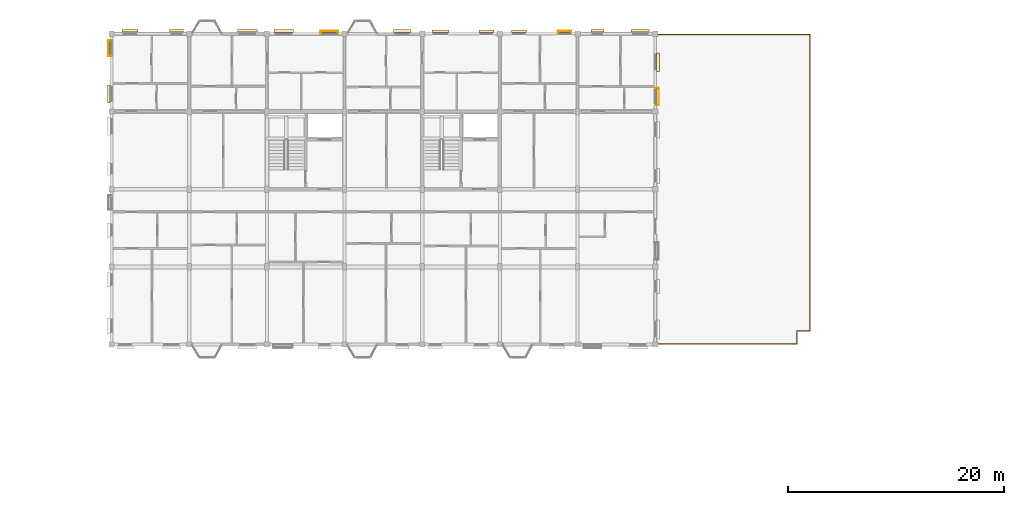
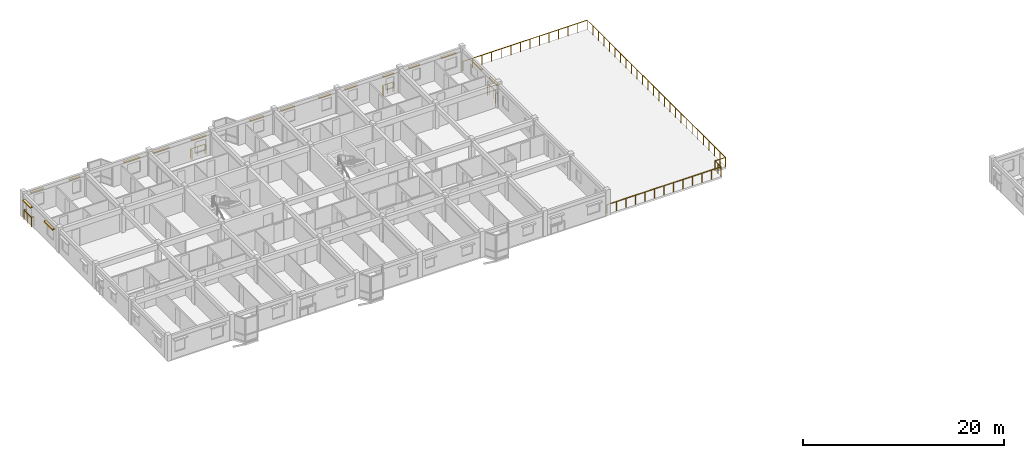
# One storey, part 64 of 64: 16 coverings, 5 railings.
"""IFC4 building model written with IfcOpenShell, lengths in metres."""

from ifc_helpers import new_model, si_unit, direction, frame, origin, origin_2d, place, context, subcontext, project, spatial, rectangle, circle, extrude, material, layer, layer_set, type_object, element, save


model = new_model("IFC4")

# Units and contexts
model_context = context("Model", 3, precision=1e-05, world=origin(), true_north=direction((0.0, 1.0)))
body_context = subcontext(model_context, "Body", "Model", "MODEL_VIEW")
ifc_project = project(units=[si_unit("LENGTHUNIT", "METRE"), si_unit("AREAUNIT", "SQUARE_METRE"), si_unit("VOLUMEUNIT", "CUBIC_METRE"), si_unit("PLANEANGLEUNIT", "RADIAN"), si_unit("MASSUNIT", "GRAM", prefix="KILO"), si_unit("THERMODYNAMICTEMPERATUREUNIT", "KELVIN"), si_unit("POWERUNIT", "WATT")], contexts=[model_context])

# Site, building, storey
site_placement = place(None, origin())
site = spatial("IfcSite", under=ifc_project, at=site_placement, CompositionType="ELEMENT")
building_placement = place(site_placement, origin())
building = spatial("IfcBuilding", under=site, at=building_placement, Name="Tavuni Mirador Residences", CompositionType="ELEMENT")
storey_placement = place(building_placement, frame((0.0, 0.0, 26.550048828125)))
storey = spatial("IfcBuildingStorey", under=building, at=storey_placement, Name="L08", CompositionType="ELEMENT", Elevation=26.550048828125)

# Coverings
ifc_material_1 = material(Name="Natural coral limestone", Category="masonry")
ifc_layer = layer(ifc_material_1, 0.054931640625, Name="Natural coral limestone", Category="masonry")
ifc_layer_set = layer_set([ifc_layer], Name="Natural coral limestone")
covering_type = type_object("IfcCoveringType", Name="CVT-CLAD-CORAL", PredefinedType="CLADDING", material=ifc_layer_set)
covering_1_placement = place(storey_placement, frame((61.45947265625, 166.965087890625, 2.06494140625), z_axis=(0.0, 0.0, 1.0), x_axis=(0.0, 1.0, 0.0)))
element("IfcCovering", 1, at=covering_1_placement, inside=storey, type_object=covering_type, Name="HOOD-0729", PredefinedType="CLADDING", context=body_context, shape_type="SweptSolid", body=[
    extrude(rectangle(XDim=1.5400390625, YDim=0.25, at=origin_2d()), origin(), (0.0, 0.0, 1.0), 0.14990234375),
])
for number, where, z_axis, x_axis, name in (
    (2, (61.45947265625, 170.175048828125, 2.06494140625), (0.0, 0.0, 1.0), (0.0, 1.0, 0.0), "HOOD-0730"),
    (3, (59.820068359375, 173.0869140625, 2.06494140625), (0.0, 0.0, 1.0), (-1.0, 0.0, 0.0), "HOOD-0731"),
):
    element("IfcCovering", number, at=place(storey_placement, frame(where, z_axis=z_axis, x_axis=x_axis)), inside=storey, type_object=covering_type, Name=name, PredefinedType="CLADDING", context=body_context, shape_type="SweptSolid", body=[
        extrude(rectangle(XDim=1.699951171875, YDim=0.25, at=origin_2d()), origin(), (0.0, 0.0, 1.0), 0.14990234375),
    ])
for number, where, z_axis, x_axis, name in (
    (4, (55.85009765625, 173.0869140625, 2.1650390625), (0.0, 0.0, 1.0), (-1.0, 0.0, 0.0), "HOOD-0732"),
    (5, (52.85009765625, 173.04443359375, 2.1650390625), (0.0, 0.0, 1.0), (-1.0, 0.0, 0.0), "HOOD-0733"),
):
    element("IfcCovering", number, at=place(storey_placement, frame(where, z_axis=z_axis, x_axis=x_axis)), inside=storey, type_object=covering_type, Name=name, PredefinedType="CLADDING", context=body_context, shape_type="SweptSolid", body=[
        extrude(rectangle(XDim=1.239990234375, YDim=0.25, at=origin_2d()), origin(), (0.0, 0.0, 1.0), 0.14990234375),
    ])
for number, where, z_axis, x_axis, name in (
    (6, (48.570068359375, 173.04443359375, 2.1650390625), (0.0, 0.0, 1.0), (-1.0, 0.0, 0.0), "HOOD-0734"),
    (7, (45.570068359375, 173.049560546875, 2.1650390625), (0.0, 0.0, 1.0), (-1.0, 0.0, 0.0), "HOOD-0735"),
):
    element("IfcCovering", number, at=place(storey_placement, frame(where, z_axis=z_axis, x_axis=x_axis)), inside=storey, type_object=covering_type, Name=name, PredefinedType="CLADDING", context=body_context, shape_type="SweptSolid", body=[
        extrude(rectangle(XDim=1.39990234375, YDim=0.25, at=origin_2d()), origin(), (0.0, 0.0, 1.0), 0.14990234375),
    ])
covering_2_placement = place(storey_placement, frame((41.2900390625, 173.049560546875, 2.1650390625), z_axis=(0.0, 0.0, 1.0), x_axis=(-1.0, 0.0, 0.0)))
element("IfcCovering", 8, at=covering_2_placement, inside=storey, type_object=covering_type, Name="HOOD-0736", PredefinedType="CLADDING", context=body_context, shape_type="SweptSolid", body=[
    extrude(rectangle(XDim=1.56005859375, YDim=0.25, at=origin_2d()), origin(), (0.0, 0.0, 1.0), 0.14990234375),
])
covering_3_placement = place(storey_placement, frame((37.75, 173.064453125, 2.16015625), z_axis=(0.0, 0.0, 1.0), x_axis=(-1.0, 0.0, 0.0)))
element("IfcCovering", 9, at=covering_3_placement, inside=storey, type_object=covering_type, Name="HOOD-0737", PredefinedType="CLADDING", context=body_context, shape_type="SweptSolid", body=[
    extrude(rectangle(XDim=1.580078125, YDim=0.260009765625, at=origin_2d()), origin(), (0.0, 0.0, 1.0), 0.159912109375),
])
covering_4_placement = place(storey_placement, frame((31.050048828125, 173.06689453125, 2.1650390625), z_axis=(0.0, 0.0, 1.0), x_axis=(-1.0, 0.0, 0.0)))
element("IfcCovering", 10, at=covering_4_placement, inside=storey, type_object=covering_type, Name="HOOD-0738", PredefinedType="CLADDING", context=body_context, shape_type="SweptSolid", body=[
    extrude(rectangle(XDim=1.639892578125, YDim=0.25, at=origin_2d()), origin(), (0.0, 0.0, 1.0), 0.14990234375),
])
covering_5_placement = place(storey_placement, frame((26.77001953125, 173.06689453125, 2.1650390625), z_axis=(0.0, 0.0, 1.0), x_axis=(-1.0, 0.0, 0.0)))
element("IfcCovering", 11, at=covering_5_placement, inside=storey, type_object=covering_type, Name="HOOD-0739", PredefinedType="CLADDING", context=body_context, shape_type="SweptSolid", body=[
    extrude(rectangle(XDim=1.800048828125, YDim=0.25, at=origin_2d()), origin(), (0.0, 0.0, 1.0), 0.14990234375),
])
covering_6_placement = place(storey_placement, frame((23.409912109375, 173.07958984375, 2.16015625), z_axis=(0.0, 0.0, 1.0), x_axis=(-1.0, 0.0, 0.0)))
element("IfcCovering", 12, at=covering_6_placement, inside=storey, type_object=covering_type, Name="HOOD-0740", PredefinedType="CLADDING", context=body_context, shape_type="SweptSolid", body=[
    extrude(rectangle(XDim=1.820068359375, YDim=0.260009765625, at=origin_2d()), origin(), (0.0, 0.0, 1.0), 0.159912109375),
])
covering_7_placement = place(storey_placement, frame((16.830078125, 173.07958984375, 2.2451171875), z_axis=(0.0, 0.0, 1.0), x_axis=(-1.0, 0.0, 0.0)))
element("IfcCovering", 13, at=covering_7_placement, inside=storey, type_object=covering_type, Name="HOOD-0741", PredefinedType="CLADDING", context=body_context, shape_type="SweptSolid", body=[
    extrude(rectangle(XDim=1.280029296875, YDim=0.25, at=origin_2d()), origin(), (0.0, 0.0, 1.0), 0.14990234375),
])
for number, where, z_axis, x_axis, name in (
    (14, (12.52490234375, 173.07958984375, 2.2451171875), (0.0, 0.0, 1.0), (-1.0, 0.0, 0.0), "HOOD-0742"),
    (15, (10.54052734375, 171.52490234375, 2.2451171875), (0.0, 0.0, 1.0), (0.0, -1.0, 0.0), "HOOD-0743"),
):
    element("IfcCovering", number, at=place(storey_placement, frame(where, z_axis=z_axis, x_axis=x_axis)), inside=storey, type_object=covering_type, Name=name, PredefinedType="CLADDING", context=body_context, shape_type="SweptSolid", body=[
        extrude(rectangle(XDim=1.489990234375, YDim=0.25, at=origin_2d()), origin(), (0.0, 0.0, 1.0), 0.14990234375),
    ])
covering_8_placement = place(storey_placement, frame((10.54052734375, 167.22509765625, 2.2451171875), z_axis=(0.0, 0.0, 1.0), x_axis=(0.0, -1.0, 0.0)))
element("IfcCovering", 16, at=covering_8_placement, inside=storey, type_object=covering_type, Name="HOOD-0744", PredefinedType="CLADDING", context=body_context, shape_type="SweptSolid", body=[
    extrude(rectangle(XDim=1.68994140625, YDim=0.25, at=origin_2d()), origin(), (0.0, 0.0, 1.0), 0.14990234375),
])

# Railings
ifc_material_2 = material(Name="Structural steel S355", Category="steel")
railing_type = type_object("IfcRailingType", Name="RT-BL1150", PredefinedType="BALUSTRADE", material=ifc_material_2)
railing_1_placement = place(storey_placement, frame((61.260009765625, 144.06005859375, 0.0)))
element("IfcRailing", 17, at=railing_1_placement, inside=storey, type_object=railing_type, Name="Terrace guard TER-C-L08", PredefinedType="BALUSTRADE", context=body_context, shape_type="SweptSolid", body=[
    extrude(circle(Radius=0.02392578125, at=origin_2d()), frame((0.0, 0.0, 1.1259765625), z_axis=(1.0, 0.0, 0.0), x_axis=(0.0, 1.0, 0.0)), (0.0, 0.0, 1.0), 13.080078125),
    extrude(circle(Radius=0.02392578125, at=origin_2d()), frame((13.080078125, 0.0, 1.1259765625), z_axis=(0.0, 1.0, 0.0), x_axis=(-1.0, 0.0, 0.0)), (0.0, 0.0, 1.0), 1.199951171875),
    extrude(circle(Radius=0.02392578125, at=origin_2d()), frame((13.080078125, 1.199951171875, 1.1259765625), z_axis=(1.0, 0.0, 0.0), x_axis=(0.0, 1.0, 0.0)), (0.0, 0.0, 1.0), 1.199951171875),
    extrude(circle(Radius=0.02392578125, at=origin_2d()), frame((14.280029296875, 1.199951171875, 1.1259765625), z_axis=(0.0, 1.0, 0.0), x_axis=(-1.0, 0.0, 0.0)), (0.0, 0.0, 1.0), 27.47998046875),
    extrude(circle(Radius=0.02392578125, at=origin_2d()), frame((14.280029296875, 28.679931640625, 1.1259765625), z_axis=(-1.0, 0.0, 0.0), x_axis=(0.0, -1.0, 0.0)), (0.0, 0.0, 1.0), 14.280029296875),
    extrude(circle(Radius=0.02099609375, at=origin_2d()), origin(), (0.0, 0.0, 1.0), 1.101806640625),
    extrude(circle(Radius=0.02099609375, at=origin_2d()), frame((1.090087890625, 0.0, 0.0)), (0.0, 0.0, 1.0), 1.101806640625),
    extrude(circle(Radius=0.02099609375, at=origin_2d()), frame((2.179931640625, 0.0, 0.0)), (0.0, 0.0, 1.0), 1.101806640625),
    extrude(circle(Radius=0.02099609375, at=origin_2d()), frame((3.27001953125, 0.0, 0.0)), (0.0, 0.0, 1.0), 1.101806640625),
    extrude(circle(Radius=0.02099609375, at=origin_2d()), frame((4.360107421875, 0.0, 0.0)), (0.0, 0.0, 1.0), 1.101806640625),
    extrude(circle(Radius=0.02099609375, at=origin_2d()), frame((5.449951171875, 0.0, 0.0)), (0.0, 0.0, 1.0), 1.101806640625),
    extrude(circle(Radius=0.02099609375, at=origin_2d()), frame((6.5400390625, 0.0, 0.0)), (0.0, 0.0, 1.0), 1.101806640625),
    extrude(circle(Radius=0.02099609375, at=origin_2d()), frame((7.630126953125, 0.0, 0.0)), (0.0, 0.0, 1.0), 1.101806640625),
    extrude(circle(Radius=0.02099609375, at=origin_2d()), frame((8.719970703125, 0.0, 0.0)), (0.0, 0.0, 1.0), 1.101806640625),
    extrude(circle(Radius=0.02099609375, at=origin_2d()), frame((9.81005859375, 0.0, 0.0)), (0.0, 0.0, 1.0), 1.101806640625),
    extrude(circle(Radius=0.02099609375, at=origin_2d()), frame((10.900146484375, 0.0, 0.0)), (0.0, 0.0, 1.0), 1.101806640625),
    extrude(circle(Radius=0.02099609375, at=origin_2d()), frame((11.989990234375, 0.0, 0.0)), (0.0, 0.0, 1.0), 1.101806640625),
    extrude(circle(Radius=0.02099609375, at=origin_2d()), frame((13.080078125, 0.0, 0.0)), (0.0, 0.0, 1.0), 1.101806640625),
    extrude(circle(Radius=0.02099609375, at=origin_2d()), frame((13.080078125, 0.60009765625, 0.0)), (0.0, 0.0, 1.0), 1.101806640625),
    extrude(circle(Radius=0.02099609375, at=origin_2d()), frame((13.080078125, 1.199951171875, 0.0)), (0.0, 0.0, 1.0), 1.101806640625),
    extrude(circle(Radius=0.02099609375, at=origin_2d()), frame((13.68017578125, 1.199951171875, 0.0)), (0.0, 0.0, 1.0), 1.101806640625),
    extrude(circle(Radius=0.02099609375, at=origin_2d()), frame((14.280029296875, 1.199951171875, 0.0)), (0.0, 0.0, 1.0), 1.101806640625),
    extrude(circle(Radius=0.02099609375, at=origin_2d()), frame((14.280029296875, 2.299072265625, 0.0)), (0.0, 0.0, 1.0), 1.101806640625),
    extrude(circle(Radius=0.02099609375, at=origin_2d()), frame((14.280029296875, 3.3984375, 0.0)), (0.0, 0.0, 1.0), 1.101806640625),
    extrude(circle(Radius=0.02099609375, at=origin_2d()), frame((14.280029296875, 4.49755859375, 0.0)), (0.0, 0.0, 1.0), 1.101806640625),
    extrude(circle(Radius=0.02099609375, at=origin_2d()), frame((14.280029296875, 5.5966796875, 0.0)), (0.0, 0.0, 1.0), 1.101806640625),
    extrude(circle(Radius=0.02099609375, at=origin_2d()), frame((14.280029296875, 6.696044921875, 0.0)), (0.0, 0.0, 1.0), 1.101806640625),
    extrude(circle(Radius=0.02099609375, at=origin_2d()), frame((14.280029296875, 7.795166015625, 0.0)), (0.0, 0.0, 1.0), 1.101806640625),
    extrude(circle(Radius=0.02099609375, at=origin_2d()), frame((14.280029296875, 8.894287109375, 0.0)), (0.0, 0.0, 1.0), 1.101806640625),
    extrude(circle(Radius=0.02099609375, at=origin_2d()), frame((14.280029296875, 9.99365234375, 0.0)), (0.0, 0.0, 1.0), 1.101806640625),
    extrude(circle(Radius=0.02099609375, at=origin_2d()), frame((14.280029296875, 11.0927734375, 0.0)), (0.0, 0.0, 1.0), 1.101806640625),
    extrude(circle(Radius=0.02099609375, at=origin_2d()), frame((14.280029296875, 12.19189453125, 0.0)), (0.0, 0.0, 1.0), 1.101806640625),
    extrude(circle(Radius=0.02099609375, at=origin_2d()), frame((14.280029296875, 13.291259765625, 0.0)), (0.0, 0.0, 1.0), 1.101806640625),
    extrude(circle(Radius=0.02099609375, at=origin_2d()), frame((14.280029296875, 14.390380859375, 0.0)), (0.0, 0.0, 1.0), 1.101806640625),
    extrude(circle(Radius=0.02099609375, at=origin_2d()), frame((14.280029296875, 15.489501953125, 0.0)), (0.0, 0.0, 1.0), 1.101806640625),
    extrude(circle(Radius=0.02099609375, at=origin_2d()), frame((14.280029296875, 16.588623046875, 0.0)), (0.0, 0.0, 1.0), 1.101806640625),
    extrude(circle(Radius=0.02099609375, at=origin_2d()), frame((14.280029296875, 17.68798828125, 0.0)), (0.0, 0.0, 1.0), 1.101806640625),
    extrude(circle(Radius=0.02099609375, at=origin_2d()), frame((14.280029296875, 18.787109375, 0.0)), (0.0, 0.0, 1.0), 1.101806640625),
    extrude(circle(Radius=0.02099609375, at=origin_2d()), frame((14.280029296875, 19.88623046875, 0.0)), (0.0, 0.0, 1.0), 1.101806640625),
    extrude(circle(Radius=0.02099609375, at=origin_2d()), frame((14.280029296875, 20.985595703125, 0.0)), (0.0, 0.0, 1.0), 1.101806640625),
    extrude(circle(Radius=0.02099609375, at=origin_2d()), frame((14.280029296875, 22.084716796875, 0.0)), (0.0, 0.0, 1.0), 1.101806640625),
    extrude(circle(Radius=0.02099609375, at=origin_2d()), frame((14.280029296875, 23.183837890625, 0.0)), (0.0, 0.0, 1.0), 1.101806640625),
    extrude(circle(Radius=0.02099609375, at=origin_2d()), frame((14.280029296875, 24.283203125, 0.0)), (0.0, 0.0, 1.0), 1.101806640625),
    extrude(circle(Radius=0.02099609375, at=origin_2d()), frame((14.280029296875, 25.38232421875, 0.0)), (0.0, 0.0, 1.0), 1.101806640625),
    extrude(circle(Radius=0.02099609375, at=origin_2d()), frame((14.280029296875, 26.4814453125, 0.0)), (0.0, 0.0, 1.0), 1.101806640625),
    extrude(circle(Radius=0.02099609375, at=origin_2d()), frame((14.280029296875, 27.580810546875, 0.0)), (0.0, 0.0, 1.0), 1.101806640625),
    extrude(circle(Radius=0.02099609375, at=origin_2d()), frame((14.280029296875, 28.679931640625, 0.0)), (0.0, 0.0, 1.0), 1.101806640625),
    extrude(circle(Radius=0.02099609375, at=origin_2d()), frame((13.181640625, 28.679931640625, 0.0)), (0.0, 0.0, 1.0), 1.101806640625),
    extrude(circle(Radius=0.02099609375, at=origin_2d()), frame((12.0830078125, 28.679931640625, 0.0)), (0.0, 0.0, 1.0), 1.101806640625),
    extrude(circle(Radius=0.02099609375, at=origin_2d()), frame((10.984619140625, 28.679931640625, 0.0)), (0.0, 0.0, 1.0), 1.101806640625),
    extrude(circle(Radius=0.02099609375, at=origin_2d()), frame((9.88623046875, 28.679931640625, 0.0)), (0.0, 0.0, 1.0), 1.101806640625),
    extrude(circle(Radius=0.02099609375, at=origin_2d()), frame((8.78759765625, 28.679931640625, 0.0)), (0.0, 0.0, 1.0), 1.101806640625),
    extrude(circle(Radius=0.02099609375, at=origin_2d()), frame((7.689208984375, 28.679931640625, 0.0)), (0.0, 0.0, 1.0), 1.101806640625),
    extrude(circle(Radius=0.02099609375, at=origin_2d()), frame((6.5908203125, 28.679931640625, 0.0)), (0.0, 0.0, 1.0), 1.101806640625),
    extrude(circle(Radius=0.02099609375, at=origin_2d()), frame((5.492431640625, 28.679931640625, 0.0)), (0.0, 0.0, 1.0), 1.101806640625),
    extrude(circle(Radius=0.02099609375, at=origin_2d()), frame((4.393798828125, 28.679931640625, 0.0)), (0.0, 0.0, 1.0), 1.101806640625),
    extrude(circle(Radius=0.02099609375, at=origin_2d()), frame((3.29541015625, 28.679931640625, 0.0)), (0.0, 0.0, 1.0), 1.101806640625),
    extrude(circle(Radius=0.02099609375, at=origin_2d()), frame((2.197021484375, 28.679931640625, 0.0)), (0.0, 0.0, 1.0), 1.101806640625),
    extrude(circle(Radius=0.02099609375, at=origin_2d()), frame((1.098388671875, 28.679931640625, 0.0)), (0.0, 0.0, 1.0), 1.101806640625),
    extrude(circle(Radius=0.02099609375, at=origin_2d()), frame((0.0, 28.679931640625, 0.0)), (0.0, 0.0, 1.0), 1.101806640625),
])
railing_2_placement = place(storey_placement, frame((61.199951171875, 166.199951171875, 0.0400390625)))
element("IfcRailing", 18, at=railing_2_placement, inside=storey, type_object=railing_type, Name="BALC-BLK-C-L08-E03", PredefinedType="BALUSTRADE", context=body_context, shape_type="SweptSolid", body=[
    extrude(circle(Radius=0.02392578125, at=origin_2d()), frame((0.0, 0.0, 1.1259765625), z_axis=(1.0, 0.0, 0.0), x_axis=(0.0, 1.0, 0.0)), (0.0, 0.0, 1.0), 0.277587890625),
    extrude(circle(Radius=0.02392578125, at=origin_2d()), frame((0.277587890625, 0.0, 1.1259765625), z_axis=(0.0, 1.0, 0.0), x_axis=(-1.0, 0.0, 0.0)), (0.0, 0.0, 1.0), 1.5849609375),
    extrude(circle(Radius=0.02392578125, at=origin_2d()), frame((0.277587890625, 1.5849609375, 1.1259765625), z_axis=(-1.0, 0.0, 0.0), x_axis=(0.0, -1.0, 0.0)), (0.0, 0.0, 1.0), 0.277587890625),
    extrude(circle(Radius=0.02099609375, at=origin_2d()), origin(), (0.0, 0.0, 1.0), 1.101806640625),
    extrude(circle(Radius=0.02099609375, at=origin_2d()), frame((0.277587890625, 0.0, 0.0)), (0.0, 0.0, 1.0), 1.101806640625),
    extrude(circle(Radius=0.02099609375, at=origin_2d()), frame((0.277587890625, 0.79248046875, 0.0)), (0.0, 0.0, 1.0), 1.101806640625),
    extrude(circle(Radius=0.02099609375, at=origin_2d()), frame((0.277587890625, 1.5849609375, 0.0)), (0.0, 0.0, 1.0), 1.101806640625),
    extrude(circle(Radius=0.02099609375, at=origin_2d()), frame((0.0, 1.5849609375, 0.0)), (0.0, 0.0, 1.0), 1.101806640625),
])
railing_3_placement = place(storey_placement, frame((53.39990234375, 172.800048828125, 0.0400390625)))
element("IfcRailing", 19, at=railing_3_placement, inside=storey, type_object=railing_type, Name="BALC-BLK-C-L08-N05", PredefinedType="BALUSTRADE", context=body_context, shape_type="SweptSolid", body=[
    extrude(circle(Radius=0.02392578125, at=origin_2d()), frame((0.0, 0.0, 1.1259765625), z_axis=(0.0, 1.0, 0.0), x_axis=(-1.0, 0.0, 0.0)), (0.0, 0.0, 1.0), 0.262451171875),
    extrude(circle(Radius=0.02392578125, at=origin_2d()), frame((0.0, 0.262451171875, 1.1259765625), z_axis=(-1.0, 0.0, 0.0), x_axis=(0.0, -1.0, 0.0)), (0.0, 0.0, 1.0), 1.219970703125),
    extrude(circle(Radius=0.02392578125, at=origin_2d()), frame((-1.219970703125, 0.262451171875, 1.1259765625), z_axis=(0.0, -1.0, 0.0), x_axis=(1.0, 0.0, 0.0)), (0.0, 0.0, 1.0), 0.262451171875),
    extrude(circle(Radius=0.02099609375, at=origin_2d()), origin(), (0.0, 0.0, 1.0), 1.101806640625),
    extrude(circle(Radius=0.02099609375, at=origin_2d()), frame((0.0, 0.262451171875, 0.0)), (0.0, 0.0, 1.0), 1.101806640625),
    extrude(circle(Radius=0.02099609375, at=origin_2d()), frame((-0.60986328125, 0.262451171875, 0.0)), (0.0, 0.0, 1.0), 1.101806640625),
    extrude(circle(Radius=0.02099609375, at=origin_2d()), frame((-1.219970703125, 0.262451171875, 0.0)), (0.0, 0.0, 1.0), 1.101806640625),
    extrude(circle(Radius=0.02099609375, at=origin_2d()), frame((-1.219970703125, 0.0, 0.0)), (0.0, 0.0, 1.0), 1.101806640625),
])
railing_4_placement = place(storey_placement, frame((31.800048828125, 172.800048828125, 0.0400390625)))
element("IfcRailing", 20, at=railing_4_placement, inside=storey, type_object=railing_type, Name="BALC-BLK-C-L08-N02", PredefinedType="BALUSTRADE", context=body_context, shape_type="SweptSolid", body=[
    extrude(circle(Radius=0.02392578125, at=origin_2d()), frame((0.0, 0.0, 1.1259765625), z_axis=(0.0, 1.0, 0.0), x_axis=(-1.0, 0.0, 0.0)), (0.0, 0.0, 1.0), 0.284912109375),
    extrude(circle(Radius=0.02392578125, at=origin_2d()), frame((0.0, 0.284912109375, 1.1259765625), z_axis=(-1.0, 0.0, 0.0), x_axis=(0.0, -1.0, 0.0)), (0.0, 0.0, 1.0), 1.6201171875),
    extrude(circle(Radius=0.02392578125, at=origin_2d()), frame((-1.6201171875, 0.284912109375, 1.1259765625), z_axis=(0.0, -1.0, 0.0), x_axis=(1.0, 0.0, 0.0)), (0.0, 0.0, 1.0), 0.284912109375),
    extrude(circle(Radius=0.02099609375, at=origin_2d()), origin(), (0.0, 0.0, 1.0), 1.101806640625),
    extrude(circle(Radius=0.02099609375, at=origin_2d()), frame((0.0, 0.284912109375, 0.0)), (0.0, 0.0, 1.0), 1.101806640625),
    extrude(circle(Radius=0.02099609375, at=origin_2d()), frame((-0.81005859375, 0.284912109375, 0.0)), (0.0, 0.0, 1.0), 1.101806640625),
    extrude(circle(Radius=0.02099609375, at=origin_2d()), frame((-1.6201171875, 0.284912109375, 0.0)), (0.0, 0.0, 1.0), 1.101806640625),
    extrude(circle(Radius=0.02099609375, at=origin_2d()), frame((-1.6201171875, 0.0, 0.0)), (0.0, 0.0, 1.0), 1.101806640625),
])
railing_5_placement = place(storey_placement, frame((10.800048828125, 172.199951171875, 0.0400390625)))
element("IfcRailing", 21, at=railing_5_placement, inside=storey, type_object=railing_type, Name="BALC-BLK-C-L08-W03", PredefinedType="BALUSTRADE", context=body_context, shape_type="SweptSolid", body=[
    extrude(circle(Radius=0.02392578125, at=origin_2d()), frame((0.0, 0.0, 1.1259765625), z_axis=(-1.0, 0.0, 0.0), x_axis=(0.0, -1.0, 0.0)), (0.0, 0.0, 1.0), 0.277587890625),
    extrude(circle(Radius=0.02392578125, at=origin_2d()), frame((-0.277587890625, 0.0, 1.1259765625), z_axis=(0.0, -1.0, 0.0), x_axis=(1.0, 0.0, 0.0)), (0.0, 0.0, 1.0), 1.469970703125),
    extrude(circle(Radius=0.02392578125, at=origin_2d()), frame((-0.277587890625, -1.469970703125, 1.1259765625), z_axis=(1.0, 0.0, 0.0), x_axis=(0.0, 1.0, 0.0)), (0.0, 0.0, 1.0), 0.277587890625),
    extrude(circle(Radius=0.02099609375, at=origin_2d()), origin(), (0.0, 0.0, 1.0), 1.101806640625),
    extrude(circle(Radius=0.02099609375, at=origin_2d()), frame((-0.277587890625, 0.0, 0.0)), (0.0, 0.0, 1.0), 1.101806640625),
    extrude(circle(Radius=0.02099609375, at=origin_2d()), frame((-0.277587890625, -0.73486328125, 0.0)), (0.0, 0.0, 1.0), 1.101806640625),
    extrude(circle(Radius=0.02099609375, at=origin_2d()), frame((-0.277587890625, -1.469970703125, 0.0)), (0.0, 0.0, 1.0), 1.101806640625),
    extrude(circle(Radius=0.02099609375, at=origin_2d()), frame((0.0, -1.469970703125, 0.0)), (0.0, 0.0, 1.0), 1.101806640625),
])

save(model, "model.ifc")
